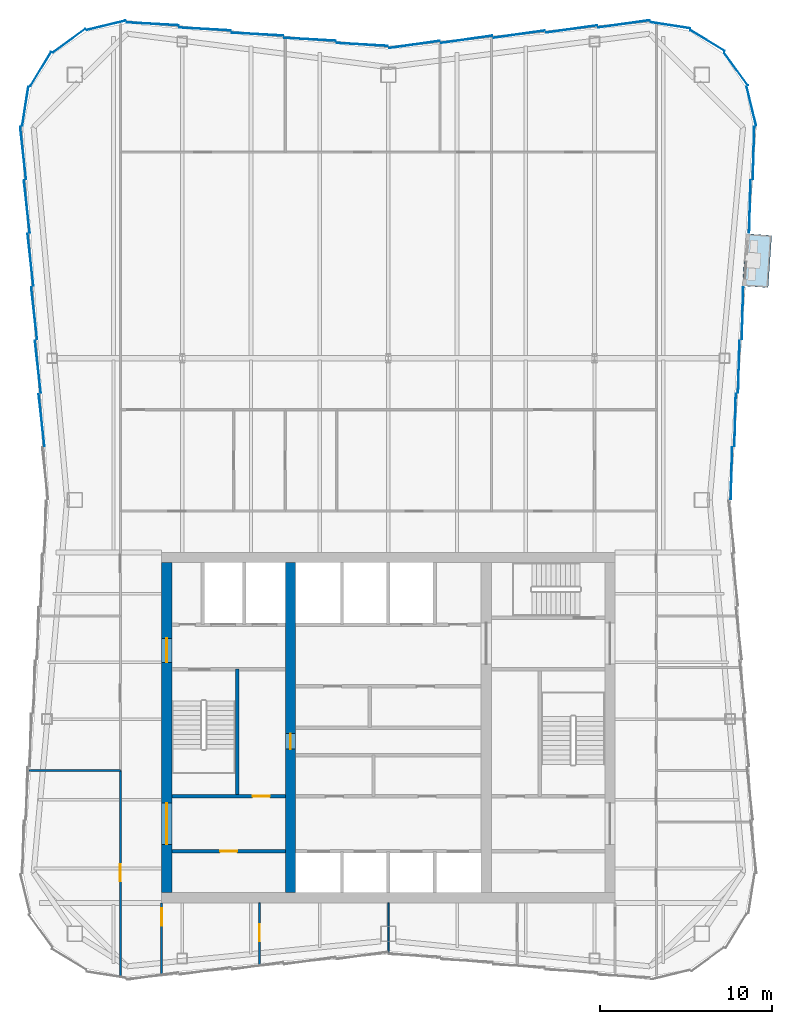
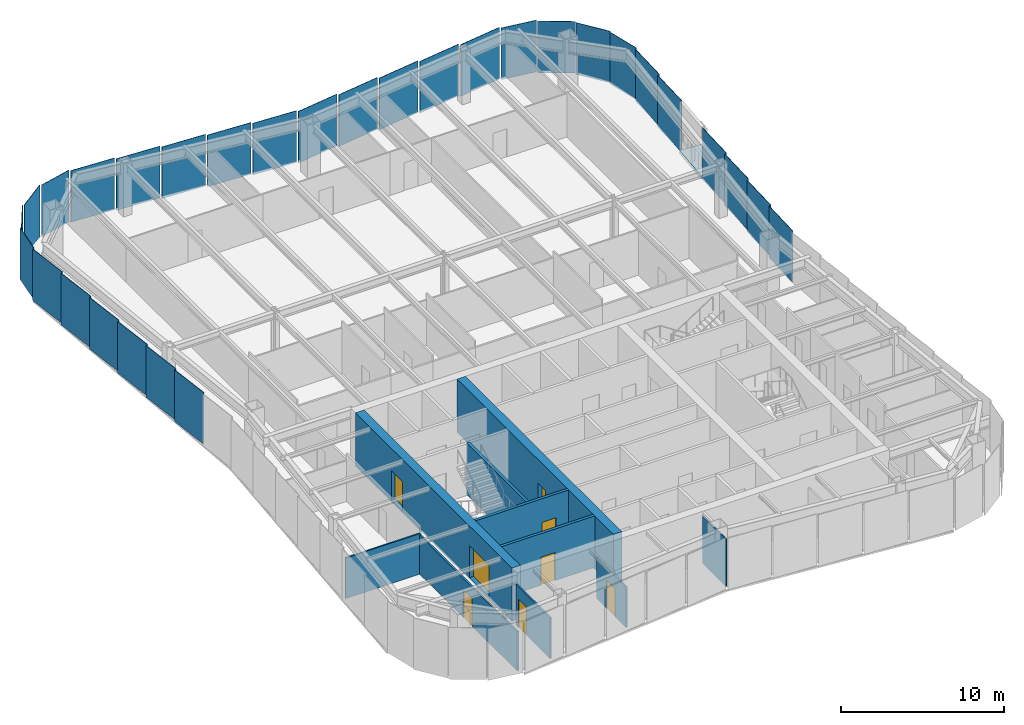
# One storey, part 5 of 10: 30 plates, 10 walls, 8 doors, 1 slab, 8 openings, 5 elements without a shape of their own.
"""IFC4 building model written with IfcOpenShell, lengths in metres."""

from ifc_helpers import new_model, si_unit, direction, frame, frame_2d, origin, origin_2d, place, context, subcontext, project, spatial, polyline, rectangle, outline, extrude, material, layer, layer_set, type_object, element, fill, aggregate, save


model = new_model("IFC4")

# Units and contexts
model_context = context("Model", 3, precision=1e-05, world=origin(), true_north=direction((0.0, 1.0)))
body_context = subcontext(model_context, "Body", "Model", "MODEL_VIEW")
ifc_project = project(units=[si_unit("LENGTHUNIT", "METRE"), si_unit("AREAUNIT", "SQUARE_METRE"), si_unit("VOLUMEUNIT", "CUBIC_METRE"), si_unit("PLANEANGLEUNIT", "RADIAN"), si_unit("MASSUNIT", "GRAM", prefix="KILO")], contexts=[model_context])

# Site, building, storey
site_placement = place(None, origin())
site = spatial("IfcSite", under=ifc_project, at=site_placement, CompositionType="ELEMENT")
building_placement = place(site_placement, origin())
building = spatial("IfcBuilding", under=site, at=building_placement, Name="Verdant Reach Tower", CompositionType="ELEMENT")
storey_placement = place(building_placement, frame((0.0, 0.0, 310.0)))
storey = spatial("IfcBuildingStorey", under=building, at=storey_placement, Name="L71", CompositionType="ELEMENT", Elevation=310.0)

# Slab
ifc_material_1 = material(Name="Concrete C35/45", Category="concrete")
ifc_layer_1 = layer(ifc_material_1, 0.25)
ifc_layer_set_1 = layer_set([ifc_layer_1], Name="EN-BALCONY SLAB")
slab_type = type_object("IfcSlabType", Name="EN-BALCONY SLAB", PredefinedType="FLOOR", material=ifc_layer_set_1)
slab_placement = place(storey_placement, frame((0.0, 0.0, -0.25)))
element("IfcSlab", 1, at=slab_placement, inside=storey, type_object=slab_type, Name="Balcony slab 1, L71", PredefinedType="FLOOR", context=body_context, shape_type="SweptSolid", body=[
    extrude(outline(polyline([(20.609619140625, 53.71337890625), (20.819091796875, 56.750732421875), (22.3154296875, 56.647705078125), (22.10595703125, 53.6103515625), (20.609619140625, 53.71337890625)])), origin(), (0.0, 0.0, 1.0), 0.25),
])

# Curtain wall, plates
ifc_material_2 = material(Name="Anodised aluminium", Category="aluminium")
curtain_wall_type = type_object("IfcCurtainWallType", Name="EN-CW SYSTEM Z5", PredefinedType="NOTDEFINED", material=ifc_material_2)
curtain_wall_1_placement = place(storey_placement, origin())
curtain_wall_1 = element("IfcCurtainWall", 2, at=curtain_wall_1_placement, inside=storey, type_object=curtain_wall_type, Name="Curtain wall east, L71", PredefinedType="NOTDEFINED")
ifc_material_3 = material(Name="Tinted glass with champagne spandrel", Category="glass")
ifc_layer_2 = layer(ifc_material_3, 0.031982421875)
ifc_layer_set_2 = layer_set([ifc_layer_2], Name="EN-PANEL CHAMPAGNE")
plate_type_1 = type_object("IfcPlateType", Name="EN-PANEL CHAMPAGNE", PredefinedType="CURTAIN_PANEL", material=ifc_layer_set_2)
plate_1_placement = place(storey_placement, frame((19.971923828125, 42.799560546875, -0.219970703125), z_axis=(0.0, 0.0, 1.0), x_axis=(0.027053006415, 0.999634000444, 0.0)))
plate_1 = element("IfcPlate", 3, at=plate_1_placement, type_object=plate_type_1, Name="Glass panel east face part 2 1.1, L71", PredefinedType="CURTAIN_PANEL", context=body_context, shape_type="SweptSolid", body=[
    extrude(rectangle(XDim=3.04052734375, YDim=0.031982421875, at=origin_2d()), origin(), (0.0, 0.0, 1.0), 3.8701171875),
])
plate_2_placement = place(storey_placement, frame((20.18603515625, 45.90283203125, -0.219970703125), z_axis=(0.0, 0.0, 1.0), x_axis=(0.026965318308, 0.999636369691, 0.0)))
plate_2 = element("IfcPlate", 4, at=plate_2_placement, type_object=plate_type_1, Name="Glass panel east face part 2 2.1, L71", PredefinedType="CURTAIN_PANEL", context=body_context, shape_type="SweptSolid", body=[
    extrude(rectangle(XDim=3.048583984375, YDim=0.031982421875, at=origin_2d()), origin(), (0.0, 0.0, 1.0), 3.8701171875),
])

# Curtain wall, plate
curtain_wall_2_placement = place(storey_placement, origin())
curtain_wall_2 = element("IfcCurtainWall", 5, at=curtain_wall_2_placement, inside=storey, type_object=curtain_wall_type, Name="Curtain wall north-east corner, L71", PredefinedType="NOTDEFINED")
plate_3_placement = place(storey_placement, frame((21.132080078125, 64.173828125, -0.219970703125), z_axis=(0.0, 0.0, 1.0), x_axis=(-0.236471447122, 0.971638438256, 0.0)))
plate_3 = element("IfcPlate", 6, at=plate_3_placement, type_object=plate_type_1, Name="Glass panel north-east corner 1.1, L71", PredefinedType="CURTAIN_PANEL", context=body_context, shape_type="SweptSolid", body=[
    extrude(rectangle(XDim=2.312744140625, YDim=0.031982421875, at=origin_2d()), origin(), (0.0, 0.0, 1.0), 3.8701171875),
])

# Curtain wall, plates
curtain_wall_3_placement = place(storey_placement, origin())
curtain_wall_3 = element("IfcCurtainWall", 7, at=curtain_wall_3_placement, inside=storey, type_object=curtain_wall_type, Name="Curtain wall north, L71", PredefinedType="NOTDEFINED")
plate_4_placement = place(storey_placement, frame((1.519287109375, 67.7646484375, -0.219970703125), z_axis=(0.0, 0.0, 1.0), x_axis=(-0.990200074141, -0.139656053116, 0.0)))
plate_4 = element("IfcPlate", 8, at=plate_4_placement, type_object=plate_type_1, Name="Glass panel north face part 1 5.1, L71", PredefinedType="CURTAIN_PANEL", context=body_context, shape_type="SweptSolid", body=[
    extrude(rectangle(XDim=2.987548828125, YDim=0.031982421875, at=origin_2d()), origin(), (0.0, 0.0, 1.0), 3.8701171875),
])
plate_5_placement = place(storey_placement, frame((-1.519287109375, 67.7646484375, -0.219970703125), z_axis=(0.0, 0.0, 1.0), x_axis=(-0.998413420442, 0.05630845301, 0.0)))
plate_5 = element("IfcPlate", 9, at=plate_5_placement, type_object=plate_type_1, Name="Glass panel north face part 2 1.1, L71", PredefinedType="CURTAIN_PANEL", context=body_context, shape_type="SweptSolid", body=[
    extrude(rectangle(XDim=2.987548828125, YDim=0.031982421875, at=origin_2d()), origin(), (0.0, 0.0, 1.0), 3.8701171875),
])

curtain_wall_4_placement = place(storey_placement, origin())
curtain_wall_4 = element("IfcCurtainWall", 10, at=curtain_wall_4_placement, inside=storey, type_object=curtain_wall_type, Name="Curtain wall west, L71", PredefinedType="NOTDEFINED")
plate_6_placement = place(storey_placement, frame((-20.8291015625, 55.22412109375, -0.219970703125), z_axis=(0.0, 0.0, 1.0), x_axis=(0.110518162674, -0.993874104562, 0.0)))
plate_6 = element("IfcPlate", 11, at=plate_6_placement, type_object=plate_type_1, Name="Glass panel west face part 1 3.1, L71", PredefinedType="CURTAIN_PANEL", context=body_context, shape_type="SweptSolid", body=[
    extrude(rectangle(XDim=3.048583984375, YDim=0.031982421875, at=origin_2d()), origin(), (0.0, 0.0, 1.0), 3.8701171875),
])
plate_7_placement = place(storey_placement, frame((-20.61474609375, 52.1171875, -0.219970703125), z_axis=(0.0, 0.0, 1.0), x_axis=(0.110518162674, -0.993874104562, 0.0)))
plate_7 = element("IfcPlate", 12, at=plate_7_placement, type_object=plate_type_1, Name="Glass panel west face part 1 4.1, L71", PredefinedType="CURTAIN_PANEL", context=body_context, shape_type="SweptSolid", body=[
    extrude(rectangle(XDim=3.048583984375, YDim=0.031982421875, at=origin_2d()), origin(), (0.0, 0.0, 1.0), 3.8701171875),
])
plate_8_placement = place(storey_placement, frame((-20.400390625, 49.010009765625, -0.219970703125), z_axis=(0.0, 0.0, 1.0), x_axis=(0.110518162674, -0.993874104562, 0.0)))
plate_8 = element("IfcPlate", 13, at=plate_8_placement, type_object=plate_type_1, Name="Glass panel west face part 1 5.1, L71", PredefinedType="CURTAIN_PANEL", context=body_context, shape_type="SweptSolid", body=[
    extrude(rectangle(XDim=3.048583984375, YDim=0.031982421875, at=origin_2d()), origin(), (0.0, 0.0, 1.0), 3.8701171875),
])

# Plate
ifc_material_4 = material(Name="Tinted glass with copper spandrel", Category="glass")
ifc_layer_3 = layer(ifc_material_4, 0.031982421875)
ifc_layer_set_3 = layer_set([ifc_layer_3], Name="EN-PANEL COPPER")
plate_type_2 = type_object("IfcPlateType", Name="EN-PANEL COPPER", PredefinedType="CURTAIN_PANEL", material=ifc_layer_set_3)
plate_9_placement = place(storey_placement, frame((20.400390625, 49.010009765625, -0.219970703125), z_axis=(0.0, 0.0, 1.0), x_axis=(0.026965318308, 0.999636369691, 0.0)))
plate_9 = element("IfcPlate", 14, at=plate_9_placement, type_object=plate_type_2, Name="Glass panel east face part 2 3.1, L71", PredefinedType="CURTAIN_PANEL", context=body_context, shape_type="SweptSolid", body=[
    extrude(rectangle(XDim=3.048583984375, YDim=0.031982421875, at=origin_2d()), origin(), (0.0, 0.0, 1.0), 3.8701171875),
])

plate_10_placement = place(storey_placement, frame((20.61474609375, 52.1171875, -0.219970703125), z_axis=(0.0, 0.0, 1.0), x_axis=(0.026965318308, 0.999636369691, 0.0)))
plate_10 = element("IfcPlate", 15, at=plate_10_placement, type_object=plate_type_2, Name="Glass panel east face part 2 4.1, L71", PredefinedType="CURTAIN_PANEL", context=body_context, shape_type="SweptSolid", body=[
    extrude(rectangle(XDim=3.048583984375, YDim=0.031982421875, at=origin_2d()), origin(), (0.0, 0.0, 1.0), 3.8701171875),
])

plate_11_placement = place(storey_placement, frame((20.23681640625, 66.33203125, -0.219970703125), z_axis=(0.0, 0.0, 1.0), x_axis=(-0.58992672698, 0.807456783236, 0.0)))
plate_11 = element("IfcPlate", 16, at=plate_11_placement, type_object=plate_type_2, Name="Glass panel north-east corner 2.1, L71", PredefinedType="CURTAIN_PANEL", context=body_context, shape_type="SweptSolid", body=[
    extrude(rectangle(XDim=2.320068359375, YDim=0.031982421875, at=origin_2d()), origin(), (0.0, 0.0, 1.0), 3.8701171875),
])

plate_12_placement = place(storey_placement, frame((18.58203125, 67.98681640625, -0.219970703125), z_axis=(0.0, 0.0, 1.0), x_axis=(-0.853988714885, 0.520291528711, 0.0)))
plate_12 = element("IfcPlate", 17, at=plate_12_placement, type_object=plate_type_2, Name="Glass panel north-east corner 3.1, L71", PredefinedType="CURTAIN_PANEL", context=body_context, shape_type="SweptSolid", body=[
    extrude(rectangle(XDim=2.320068359375, YDim=0.031982421875, at=origin_2d()), origin(), (0.0, 0.0, 1.0), 3.8701171875),
])

plate_13_placement = place(storey_placement, frame((13.72216796875, 68.964599609375, -0.219970703125), z_axis=(0.0, 0.0, 1.0), x_axis=(-0.990281521639, -0.139077345032, 0.0)))
plate_13 = element("IfcPlate", 18, at=plate_13_placement, type_object=plate_type_2, Name="Glass panel north face part 1 1.1, L71", PredefinedType="CURTAIN_PANEL", context=body_context, shape_type="SweptSolid", body=[
    extrude(rectangle(XDim=3.015625, YDim=0.031982421875, at=origin_2d()), origin(), (0.0, 0.0, 1.0), 3.8701171875),
])

plate_14_placement = place(storey_placement, frame((10.663818359375, 68.66455078125, -0.219970703125), z_axis=(0.0, 0.0, 1.0), x_axis=(-0.990225318365, -0.139476947446, 0.0)))
plate_14 = element("IfcPlate", 19, at=plate_14_placement, type_object=plate_type_2, Name="Glass panel north face part 1 2.1, L71", PredefinedType="CURTAIN_PANEL", context=body_context, shape_type="SweptSolid", body=[
    extrude(rectangle(XDim=2.998779296875, YDim=0.031982421875, at=origin_2d()), origin(), (0.0, 0.0, 1.0), 3.8701171875),
])

plate_15_placement = place(storey_placement, frame((-4.563720703125, 68.064453125, -0.219970703125), z_axis=(0.0, 0.0, 1.0), x_axis=(-0.998423588956, 0.056127863106, 0.0)))
plate_15 = element("IfcPlate", 20, at=plate_15_placement, type_object=plate_type_2, Name="Glass panel north face part 2 2.1, L71", PredefinedType="CURTAIN_PANEL", context=body_context, shape_type="SweptSolid", body=[
    extrude(rectangle(XDim=2.998779296875, YDim=0.031982421875, at=origin_2d()), origin(), (0.0, 0.0, 1.0), 3.8701171875),
])

plate_16_placement = place(storey_placement, frame((-7.61376953125, 68.364501953125, -0.219970703125), z_axis=(0.0, 0.0, 1.0), x_axis=(-0.998423588956, 0.056127863106, 0.0)))
plate_16 = element("IfcPlate", 21, at=plate_16_placement, type_object=plate_type_2, Name="Glass panel north face part 2 3.1, L71", PredefinedType="CURTAIN_PANEL", context=body_context, shape_type="SweptSolid", body=[
    extrude(rectangle(XDim=2.998779296875, YDim=0.031982421875, at=origin_2d()), origin(), (0.0, 0.0, 1.0), 3.8701171875),
])

# Curtain wall, plates
curtain_wall_5_placement = place(storey_placement, origin())
curtain_wall_5 = element("IfcCurtainWall", 22, at=curtain_wall_5_placement, inside=storey, type_object=curtain_wall_type, Name="Curtain wall north-west corner, L71", PredefinedType="NOTDEFINED")
plate_17_placement = place(storey_placement, frame((-16.4228515625, 68.88232421875, -0.219970703125), z_axis=(0.0, 0.0, 1.0), x_axis=(-0.971661765526, -0.236375577028, 0.0)))
plate_17 = element("IfcPlate", 23, at=plate_17_placement, type_object=plate_type_2, Name="Glass panel north-west corner 1.1, L71", PredefinedType="CURTAIN_PANEL", context=body_context, shape_type="SweptSolid", body=[
    extrude(rectangle(XDim=2.314453125, YDim=0.031982421875, at=origin_2d()), origin(), (0.0, 0.0, 1.0), 3.8701171875),
])
plate_18_placement = place(storey_placement, frame((-18.58203125, 67.98681640625, -0.219970703125), z_axis=(0.0, 0.0, 1.0), x_axis=(-0.807456783236, -0.58992672698, 0.0)))
plate_18 = element("IfcPlate", 24, at=plate_18_placement, type_object=plate_type_2, Name="Glass panel north-west corner 2.1, L71", PredefinedType="CURTAIN_PANEL", context=body_context, shape_type="SweptSolid", body=[
    extrude(rectangle(XDim=2.320068359375, YDim=0.031982421875, at=origin_2d()), origin(), (0.0, 0.0, 1.0), 3.8701171875),
])

# Plate
plate_19_placement = place(storey_placement, frame((-20.18603515625, 45.90283203125, -0.219970703125), z_axis=(0.0, 0.0, 1.0), x_axis=(0.110518162674, -0.993874104562, 0.0)))
plate_19 = element("IfcPlate", 25, at=plate_19_placement, type_object=plate_type_2, Name="Glass panel west face part 1 6.1, L71", PredefinedType="CURTAIN_PANEL", context=body_context, shape_type="SweptSolid", body=[
    extrude(rectangle(XDim=3.048583984375, YDim=0.031982421875, at=origin_2d()), origin(), (0.0, 0.0, 1.0), 3.8701171875),
])

ifc_material_5 = material(Name="Tinted glass with dark bronze spandrel", Category="glass")
ifc_layer_4 = layer(ifc_material_5, 0.031982421875)
ifc_layer_set_4 = layer_set([ifc_layer_4], Name="EN-PANEL DARK")
plate_type_3 = type_object("IfcPlateType", Name="EN-PANEL DARK", PredefinedType="CURTAIN_PANEL", material=ifc_layer_set_4)
plate_20_placement = place(storey_placement, frame((21.043212890625, 58.331298828125, -0.219970703125), z_axis=(0.0, 0.0, 1.0), x_axis=(0.026965318308, 0.999636369691, 0.0)))
plate_20 = element("IfcPlate", 26, at=plate_20_placement, type_object=plate_type_3, Name="Glass panel east face part 2 6.1, L71", PredefinedType="CURTAIN_PANEL", context=body_context, shape_type="SweptSolid", body=[
    extrude(rectangle(XDim=3.048583984375, YDim=0.031982421875, at=origin_2d()), origin(), (0.0, 0.0, 1.0), 3.8701171875),
])

plate_21_placement = place(storey_placement, frame((21.257568359375, 61.446044921875, -0.219970703125), z_axis=(0.0, 0.0, 1.0), x_axis=(0.026642881595, 0.999645015423, 0.0)))
plate_21 = element("IfcPlate", 27, at=plate_21_placement, type_object=plate_type_3, Name="Glass panel east face part 2 7.1, L71", PredefinedType="CURTAIN_PANEL", context=body_context, shape_type="SweptSolid", body=[
    extrude(rectangle(XDim=3.063720703125, YDim=0.031982421875, at=origin_2d()), origin(), (0.0, 0.0, 1.0), 3.8701171875),
])

aggregate(curtain_wall_1, [plate_1, plate_2, plate_9, plate_10, plate_20, plate_21])

plate_22_placement = place(storey_placement, frame((16.4228515625, 68.88232421875, -0.219970703125), z_axis=(0.0, 0.0, 1.0), x_axis=(-0.988033409454, 0.154240013621, 0.0)))
plate_22 = element("IfcPlate", 28, at=plate_22_placement, type_object=plate_type_3, Name="Glass panel north-east corner 4.1, L71", PredefinedType="CURTAIN_PANEL", context=body_context, shape_type="SweptSolid", body=[
    extrude(rectangle(XDim=2.314453125, YDim=0.031982421875, at=origin_2d()), origin(), (0.0, 0.0, 1.0), 3.8701171875),
])

aggregate(curtain_wall_2, [plate_3, plate_11, plate_12, plate_22])

plate_23_placement = place(storey_placement, frame((7.61376953125, 68.364501953125, -0.219970703125), z_axis=(0.0, 0.0, 1.0), x_axis=(-0.990225318365, -0.139476947446, 0.0)))
plate_23 = element("IfcPlate", 29, at=plate_23_placement, type_object=plate_type_3, Name="Glass panel north face part 1 3.1, L71", PredefinedType="CURTAIN_PANEL", context=body_context, shape_type="SweptSolid", body=[
    extrude(rectangle(XDim=2.998779296875, YDim=0.031982421875, at=origin_2d()), origin(), (0.0, 0.0, 1.0), 3.8701171875),
])

plate_24_placement = place(storey_placement, frame((4.563720703125, 68.064453125, -0.219970703125), z_axis=(0.0, 0.0, 1.0), x_axis=(-0.990225318365, -0.139476947446, 0.0)))
plate_24 = element("IfcPlate", 30, at=plate_24_placement, type_object=plate_type_3, Name="Glass panel north face part 1 4.1, L71", PredefinedType="CURTAIN_PANEL", context=body_context, shape_type="SweptSolid", body=[
    extrude(rectangle(XDim=2.998779296875, YDim=0.031982421875, at=origin_2d()), origin(), (0.0, 0.0, 1.0), 3.8701171875),
])

plate_25_placement = place(storey_placement, frame((-10.663818359375, 68.66455078125, -0.219970703125), z_axis=(0.0, 0.0, 1.0), x_axis=(-0.998423588956, 0.056127863106, 0.0)))
plate_25 = element("IfcPlate", 31, at=plate_25_placement, type_object=plate_type_3, Name="Glass panel north face part 2 4.1, L71", PredefinedType="CURTAIN_PANEL", context=body_context, shape_type="SweptSolid", body=[
    extrude(rectangle(XDim=2.998779296875, YDim=0.031982421875, at=origin_2d()), origin(), (0.0, 0.0, 1.0), 3.8701171875),
])

plate_26_placement = place(storey_placement, frame((-13.72216796875, 68.964599609375, -0.219970703125), z_axis=(0.0, 0.0, 1.0), x_axis=(-0.998446157248, 0.055724959185, 0.0)))
plate_26 = element("IfcPlate", 32, at=plate_26_placement, type_object=plate_type_3, Name="Glass panel north face part 2 5.1, L71", PredefinedType="CURTAIN_PANEL", context=body_context, shape_type="SweptSolid", body=[
    extrude(rectangle(XDim=3.015625, YDim=0.031982421875, at=origin_2d()), origin(), (0.0, 0.0, 1.0), 3.8701171875),
])

aggregate(curtain_wall_3, [plate_13, plate_14, plate_23, plate_24, plate_4, plate_5, plate_15, plate_16, plate_25, plate_26])

plate_27_placement = place(storey_placement, frame((-20.23681640625, 66.33203125, -0.219970703125), z_axis=(0.0, 0.0, 1.0), x_axis=(-0.520291528711, -0.853988714885, 0.0)))
plate_27 = element("IfcPlate", 33, at=plate_27_placement, type_object=plate_type_3, Name="Glass panel north-west corner 3.1, L71", PredefinedType="CURTAIN_PANEL", context=body_context, shape_type="SweptSolid", body=[
    extrude(rectangle(XDim=2.320068359375, YDim=0.031982421875, at=origin_2d()), origin(), (0.0, 0.0, 1.0), 3.8701171875),
])

plate_28_placement = place(storey_placement, frame((-21.132080078125, 64.173828125, -0.219970703125), z_axis=(0.0, 0.0, 1.0), x_axis=(-0.154337499461, -0.988018186199, 0.0)))
plate_28 = element("IfcPlate", 34, at=plate_28_placement, type_object=plate_type_3, Name="Glass panel north-west corner 4.1, L71", PredefinedType="CURTAIN_PANEL", context=body_context, shape_type="SweptSolid", body=[
    extrude(rectangle(XDim=2.312744140625, YDim=0.031982421875, at=origin_2d()), origin(), (0.0, 0.0, 1.0), 3.8701171875),
])

aggregate(curtain_wall_5, [plate_17, plate_18, plate_27, plate_28])

plate_29_placement = place(storey_placement, frame((-21.257568359375, 61.446044921875, -0.219970703125), z_axis=(0.0, 0.0, 1.0), x_axis=(0.110197580247, -0.993909700782, 0.0)))
plate_29 = element("IfcPlate", 35, at=plate_29_placement, type_object=plate_type_3, Name="Glass panel west face part 1 1.1, L71", PredefinedType="CURTAIN_PANEL", context=body_context, shape_type="SweptSolid", body=[
    extrude(rectangle(XDim=3.063720703125, YDim=0.031982421875, at=origin_2d()), origin(), (0.0, 0.0, 1.0), 3.8701171875),
])

plate_30_placement = place(storey_placement, frame((-21.043212890625, 58.331298828125, -0.219970703125), z_axis=(0.0, 0.0, 1.0), x_axis=(0.110518162674, -0.993874104562, 0.0)))
plate_30 = element("IfcPlate", 36, at=plate_30_placement, type_object=plate_type_3, Name="Glass panel west face part 1 2.1, L71", PredefinedType="CURTAIN_PANEL", context=body_context, shape_type="SweptSolid", body=[
    extrude(rectangle(XDim=3.048583984375, YDim=0.031982421875, at=origin_2d()), origin(), (0.0, 0.0, 1.0), 3.8701171875),
])

aggregate(curtain_wall_4, [plate_29, plate_30, plate_6, plate_7, plate_8, plate_19])

# Wall, opening, door
ifc_material_6 = material(Name="Gypsum board on steel studs", Category="steel")
ifc_layer_5 = layer(ifc_material_6, 0.199951171875)
ifc_layer_set_5 = layer_set([ifc_layer_5], Name="CO-WALL-ROOM")
wall_type_1 = type_object("IfcWallType", Name="CO-WALL-ROOM", PredefinedType="PARTITIONING", material=ifc_layer_set_5)
wall_1_placement = place(storey_placement, frame((-12.60009765625, 20.800048828125, 0.0), z_axis=(0.0, 0.0, 1.0), x_axis=(1.0, 0.0, 0.0)))
wall_1 = element("IfcWall", 37, at=wall_1_placement, inside=storey, type_object=wall_type_1, Name="Core partition, L71", PredefinedType="PARTITIONING", context=body_context, shape_type="SweptSolid", body=[
    extrude(rectangle(XDim=6.60009765625, YDim=0.199951171875, at=frame_2d((3.300048828125, 0.0))), origin(), (0.0, 0.0, 1.0), 3.8701171875),
])
opening_1_placement = place(wall_1_placement, frame((2.800048828125, 0.0, 0.0)))
opening_1 = element("IfcOpeningElement", 38, at=opening_1_placement, cuts=wall_1, Name="Opening CD", PredefinedType="OPENING", context=body_context, shape_type="SweptSolid", body=[
    extrude(rectangle(XDim=1.0, YDim=2.10009765625, at=frame_2d((0.5, 1.050048828125))), frame((0.0, 0.10986328125, 0.0), z_axis=(0.0, -1.0, 0.0), x_axis=(1.0, 0.0, 0.0)), (0.0, 0.0, 1.0), 0.219970703125),
])
ifc_material_7 = material(Name="Timber", Category="wood")
door_type_1 = type_object("IfcDoorType", Name="CO-DOOR-ROOM", OperationType="NOTDEFINED", PredefinedType="DOOR", material=ifc_material_7)
door_1_placement = place(opening_1_placement, origin())
door_1 = element("IfcDoor", 39, at=door_1_placement, inside=storey, type_object=door_type_1, Name="Core room door, L71", OperationType="SINGLE_SWING_LEFT", OverallHeight=2.10009765625, OverallWidth=1.0, PredefinedType="DOOR", context=body_context, shape_type="SweptSolid", body=[
    extrude(rectangle(XDim=1.0, YDim=2.10009765625, at=frame_2d((0.5, 1.050048828125))), frame((0.0, 0.02490234375, 0.0), z_axis=(0.0, -1.0, 0.0), x_axis=(1.0, 0.0, 0.0)), (0.0, 0.0, 1.0), 0.050048828125),
])
fill(opening_1, door_1)

ifc_material_8 = material(Name="Concrete C40/50", Category="concrete")
ifc_layer_6 = layer(ifc_material_8, 0.199951171875)
ifc_layer_set_6 = layer_set([ifc_layer_6], Name="CO-WALL-STAIR")
wall_type_2 = type_object("IfcWallType", Name="CO-WALL-STAIR", PredefinedType="PARTITIONING", material=ifc_layer_set_6)
wall_2_placement = place(storey_placement, frame((-12.60009765625, 24.0, 0.0), z_axis=(0.0, 0.0, 1.0), x_axis=(1.0, 0.0, 0.0)))
wall_2 = element("IfcWall", 40, at=wall_2_placement, inside=storey, type_object=wall_type_2, Name="Stair enclosure wall, L71", PredefinedType="PARTITIONING", context=body_context, shape_type="SweptSolid", body=[
    extrude(rectangle(XDim=6.60009765625, YDim=0.199951171875, at=frame_2d((3.300048828125, 0.0))), origin(), (0.0, 0.0, 1.0), 3.8701171875),
])
opening_2_placement = place(wall_2_placement, frame((4.699951171875, 0.0, 0.0)))
opening_2 = element("IfcOpeningElement", 41, at=opening_2_placement, cuts=wall_2, Name="Opening CD", PredefinedType="OPENING", context=body_context, shape_type="SweptSolid", body=[
    extrude(rectangle(XDim=1.0, YDim=2.10009765625, at=frame_2d((0.5, 1.050048828125))), frame((0.0, 0.10986328125, 0.0), z_axis=(0.0, -1.0, 0.0), x_axis=(1.0, 0.0, 0.0)), (0.0, 0.0, 1.0), 0.219970703125),
])
door_2_placement = place(opening_2_placement, origin())
door_2 = element("IfcDoor", 42, at=door_2_placement, inside=storey, type_object=door_type_1, Name="Core room door, L71", OperationType="SINGLE_SWING_RIGHT", OverallHeight=2.10009765625, OverallWidth=1.0, PredefinedType="DOOR", context=body_context, shape_type="SweptSolid", body=[
    extrude(rectangle(XDim=1.0, YDim=2.10009765625, at=frame_2d((0.5, 1.050048828125))), frame((0.0, 0.02490234375, 0.0), z_axis=(0.0, -1.0, 0.0), x_axis=(1.0, 0.0, 0.0)), (0.0, 0.0, 1.0), 0.050048828125),
])
fill(opening_2, door_2)

# Walls
wall_3_placement = place(storey_placement, frame((-8.800048828125, 24.0, 0.0), z_axis=(0.0, 0.0, 1.0), x_axis=(0.0, 1.0, 0.0)))
element("IfcWall", 43, at=wall_3_placement, inside=storey, type_object=wall_type_2, Name="Stair enclosure wall, L71", PredefinedType="PARTITIONING", context=body_context, shape_type="SweptSolid", body=[
    extrude(rectangle(XDim=7.39990234375, YDim=0.199951171875, at=frame_2d((3.699951171875, 0.0))), origin(), (0.0, 0.0, 1.0), 3.8701171875),
])
ifc_layer_7 = layer(ifc_material_6, 0.10009765625)
ifc_layer_set_7 = layer_set([ifc_layer_7], Name="FL-W1 Partition 100")
wall_type_3 = type_object("IfcWallType", Name="FL-W1 Partition 100", PredefinedType="PARTITIONING", material=ifc_layer_set_7)
wall_4_placement = place(storey_placement, frame((-15.60009765625, 25.5, 0.0), z_axis=(0.0, 0.0, 1.0), x_axis=(-1.0, 0.0, 0.0)))
element("IfcWall", 44, at=wall_4_placement, inside=storey, type_object=wall_type_3, Name="Partition 71.18", PredefinedType="PARTITIONING", context=body_context, shape_type="SweptSolid", body=[
    extrude(rectangle(XDim=5.316162109375, YDim=0.10009765625, at=frame_2d((2.658203125, 0.0))), origin(), (0.0, 0.0, 1.0), 3.0400390625),
])

# Wall, opening, door
wall_5_placement = place(storey_placement, frame((-7.5, 17.800048828125, 0.0), z_axis=(0.0, 0.0, 1.0), x_axis=(0.0, -1.0, 0.0)))
wall_5 = element("IfcWall", 45, at=wall_5_placement, inside=storey, type_object=wall_type_3, Name="Partition 71.31", PredefinedType="PARTITIONING", context=body_context, shape_type="SweptSolid", body=[
    extrude(rectangle(XDim=3.61767578125, YDim=0.10009765625, at=frame_2d((1.808837890625, 0.0))), origin(), (0.0, 0.0, 1.0), 3.0400390625),
])
opening_3_placement = place(wall_5_placement, frame((1.24365234375, 0.0, 0.0)))
opening_3 = element("IfcOpeningElement", 46, at=opening_3_placement, cuts=wall_5, Name="Opening D3", PredefinedType="OPENING", context=body_context, shape_type="SweptSolid", body=[
    extrude(rectangle(XDim=1.0, YDim=2.10009765625, at=frame_2d((0.5, 1.050048828125))), frame((0.0, 0.06005859375, 0.0), z_axis=(0.0, -1.0, 0.0), x_axis=(1.0, 0.0, 0.0)), (0.0, 0.0, 1.0), 0.1201171875),
])
ifc_material_9 = material(Name="Painted timber door leaf", Category="wood")
door_type_2 = type_object("IfcDoorType", Name="FL-D3 Door 1000x2100", OperationType="NOTDEFINED", PredefinedType="DOOR", material=ifc_material_9)
door_3_placement = place(opening_3_placement, origin())
door_3 = element("IfcDoor", 47, at=door_3_placement, inside=storey, type_object=door_type_2, Name="Door 71-015", OperationType="SINGLE_SWING_LEFT", OverallHeight=2.10009765625, OverallWidth=1.0, PredefinedType="DOOR", context=body_context, shape_type="SweptSolid", body=[
    extrude(rectangle(XDim=1.0, YDim=2.10009765625, at=frame_2d((0.5, 1.050048828125))), frame((0.0, 0.02490234375, 0.0), z_axis=(0.0, -1.0, 0.0), x_axis=(1.0, 0.0, 0.0)), (0.0, 0.0, 1.0), 0.050048828125),
])
fill(opening_3, door_3)

# Wall
wall_6_placement = place(storey_placement, frame((0.0, 14.919921875, 0.0), z_axis=(0.0, 0.0, 1.0), x_axis=(0.0, 1.0, 0.0)))
element("IfcWall", 48, at=wall_6_placement, inside=storey, type_object=wall_type_3, Name="Partition 71.32", PredefinedType="PARTITIONING", context=body_context, shape_type="SweptSolid", body=[
    extrude(rectangle(XDim=2.880126953125, YDim=0.10009765625, at=frame_2d((1.43994140625, 0.0))), origin(), (0.0, 0.0, 1.0), 3.5400390625),
])

# Wall, opening, door
ifc_material_10 = material(Name="Gypsum board on steel studs, fire rated", Category="steel")
ifc_layer_8 = layer(ifc_material_10, 0.125)
ifc_layer_set_8 = layer_set([ifc_layer_8], Name="FL-W2 Corridor wall 125")
wall_type_4 = type_object("IfcWallType", Name="FL-W2 Corridor wall 125", PredefinedType="PARTITIONING", material=ifc_layer_set_8)
wall_7_placement = place(storey_placement, frame((-15.60009765625, 13.489501953125, 0.0), z_axis=(0.0, 0.0, 1.0), x_axis=(0.0, 1.0, 0.0)))
wall_7 = element("IfcWall", 49, at=wall_7_placement, inside=storey, type_object=wall_type_4, Name="Partition 71.01", PredefinedType="PARTITIONING", context=body_context, shape_type="SweptSolid", body=[
    extrude(rectangle(XDim=12.010498046875, YDim=0.125, at=frame_2d((6.00537109375, 0.0))), origin(), (0.0, 0.0, 1.0), 2.929931640625),
])
opening_4_placement = place(wall_7_placement, frame((5.57080078125, 0.0, 0.0)))
opening_4 = element("IfcOpeningElement", 50, at=opening_4_placement, cuts=wall_7, Name="Opening D2", PredefinedType="OPENING", context=body_context, shape_type="SweptSolid", body=[
    extrude(rectangle(XDim=1.0, YDim=2.10009765625, at=frame_2d((0.5, 1.050048828125))), frame((0.0, 0.072509765625, 0.0), z_axis=(0.0, -1.0, 0.0), x_axis=(1.0, 0.0, 0.0)), (0.0, 0.0, 1.0), 0.14501953125),
])
ifc_material_11 = material(Name="Timber door leaf, fire rated", Category="wood")
door_type_3 = type_object("IfcDoorType", Name="FL-D2 Entrance door 1000x2100 FD30", OperationType="NOTDEFINED", PredefinedType="DOOR", material=ifc_material_11)
door_4_placement = place(opening_4_placement, origin())
door_4 = element("IfcDoor", 51, at=door_4_placement, inside=storey, type_object=door_type_3, Name="Door 71-001", OperationType="SINGLE_SWING_RIGHT", OverallHeight=2.10009765625, OverallWidth=1.0, PredefinedType="DOOR", context=body_context, shape_type="SweptSolid", body=[
    extrude(rectangle(XDim=1.0, YDim=2.10009765625, at=frame_2d((0.5, 1.050048828125))), frame((0.0, 0.02490234375, 0.0), z_axis=(0.0, -1.0, 0.0), x_axis=(1.0, 0.0, 0.0)), (0.0, 0.0, 1.0), 0.050048828125),
])
fill(opening_4, door_4)

wall_8_placement = place(storey_placement, frame((-13.199951171875, 17.800048828125, 0.0), z_axis=(0.0, 0.0, 1.0), x_axis=(0.0, -1.0, 0.0)))
wall_8 = element("IfcWall", 52, at=wall_8_placement, inside=storey, type_object=wall_type_4, Name="Partition 71.10", PredefinedType="PARTITIONING", context=body_context, shape_type="SweptSolid", body=[
    extrude(rectangle(XDim=4.178466796875, YDim=0.125, at=frame_2d((2.08935546875, 0.0))), origin(), (0.0, 0.0, 1.0), 3.0400390625),
])
opening_5_placement = place(wall_8_placement, frame((0.32421875, 0.0, 0.0)))
opening_5 = element("IfcOpeningElement", 53, at=opening_5_placement, cuts=wall_8, Name="Opening D2", PredefinedType="OPENING", context=body_context, shape_type="SweptSolid", body=[
    extrude(rectangle(XDim=1.0, YDim=2.10009765625, at=frame_2d((0.5, 1.050048828125))), frame((0.0, 0.072509765625, 0.0), z_axis=(0.0, -1.0, 0.0), x_axis=(1.0, 0.0, 0.0)), (0.0, 0.0, 1.0), 0.14501953125),
])
door_5_placement = place(opening_5_placement, origin())
door_5 = element("IfcDoor", 54, at=door_5_placement, inside=storey, type_object=door_type_3, Name="Door 71-010", OperationType="SINGLE_SWING_LEFT", OverallHeight=2.10009765625, OverallWidth=1.0, PredefinedType="DOOR", context=body_context, shape_type="SweptSolid", body=[
    extrude(rectangle(XDim=1.0, YDim=2.10009765625, at=frame_2d((0.5, 1.050048828125))), frame((0.0, 0.02490234375, 0.0), z_axis=(0.0, -1.0, 0.0), x_axis=(1.0, 0.0, 0.0)), (0.0, 0.0, 1.0), 0.050048828125),
])
fill(opening_5, door_5)

# Wall, openings, doors
ifc_material_12 = material(Name="Concrete C70/85", Category="concrete")
ifc_layer_9 = layer(ifc_material_12, 0.60009765625)
ifc_layer_set_9 = layer_set([ifc_layer_9], Name="ST-CORE-WALL-600")
wall_type_5 = type_object("IfcWallType", Name="ST-CORE-WALL-600", PredefinedType="SHEAR", material=ifc_layer_set_9)
wall_9_placement = place(storey_placement, frame((-12.89990234375, 18.39990234375, -0.1298828125), z_axis=(0.0, 0.0, 1.0), x_axis=(0.0, 1.0, 0.0)))
wall_9 = element("IfcWall", 55, at=wall_9_placement, inside=storey, type_object=wall_type_5, Name="Core wall W, L71", PredefinedType="SHEAR", context=body_context, shape_type="SweptSolid", body=[
    extrude(rectangle(XDim=19.2001953125, YDim=0.60009765625, at=frame_2d((9.60009765625, 0.0))), origin(), (0.0, 0.0, 1.0), 4.0),
])
opening_6_placement = place(wall_9_placement, frame((2.800048828125, 0.0, 0.1298828125)))
opening_6 = element("IfcOpeningElement", 56, at=opening_6_placement, cuts=wall_9, Name="Opening LB", PredefinedType="OPENING", context=body_context, shape_type="SweptSolid", body=[
    extrude(rectangle(XDim=2.39990234375, YDim=2.39990234375, at=frame_2d((1.199951171875, 1.199951171875))), frame((0.0, 0.31005859375, 0.0), z_axis=(0.0, -1.0, 0.0), x_axis=(1.0, 0.0, 0.0)), (0.0, 0.0, 1.0), 0.6201171875),
])
opening_7_placement = place(wall_9_placement, frame((13.39990234375, 0.0, 0.1298828125)))
opening_7 = element("IfcOpeningElement", 57, at=opening_7_placement, cuts=wall_9, Name="Opening FL", PredefinedType="OPENING", context=body_context, shape_type="SweptSolid", body=[
    extrude(rectangle(XDim=1.39990234375, YDim=2.199951171875, at=frame_2d((0.699951171875, 1.10009765625))), frame((0.0, 0.31005859375, 0.0), z_axis=(0.0, -1.0, 0.0), x_axis=(1.0, 0.0, 0.0)), (0.0, 0.0, 1.0), 0.6201171875),
])
ifc_material_13 = material(Name="Steel", Category="steel")
door_type_4 = type_object("IfcDoorType", Name="CO-DOOR-FFL", OperationType="NOTDEFINED", PredefinedType="DOOR", material=ifc_material_13)
door_6_placement = place(opening_7_placement, origin())
door_6 = element("IfcDoor", 58, at=door_6_placement, inside=storey, type_object=door_type_4, Name="Core entrance door, L71", OperationType="SINGLE_SWING_RIGHT", OverallHeight=2.199951171875, OverallWidth=1.39990234375, PredefinedType="DOOR", context=body_context, shape_type="SweptSolid", body=[
    extrude(rectangle(XDim=1.39990234375, YDim=2.199951171875, at=frame_2d((0.699951171875, 1.10009765625))), frame((0.0, 0.02490234375, 0.0), z_axis=(0.0, -1.0, 0.0), x_axis=(1.0, 0.0, 0.0)), (0.0, 0.0, 1.0), 0.050048828125),
])
fill(opening_7, door_6)
ifc_material_14 = material(Name="Glass and steel", Category="steel")
door_type_5 = type_object("IfcDoorType", Name="CO-DOOR-LOBBY", OperationType="DOUBLE_DOOR_SINGLE_SWING", PredefinedType="DOOR", material=ifc_material_14)
door_7_placement = place(opening_6_placement, origin())
door_7 = element("IfcDoor", 59, at=door_7_placement, inside=storey, type_object=door_type_5, Name="Core entrance door, L71", OperationType="DOUBLE_DOOR_SINGLE_SWING", OverallHeight=2.39990234375, OverallWidth=2.39990234375, PredefinedType="DOOR", context=body_context, shape_type="SweptSolid", body=[
    extrude(rectangle(XDim=2.39990234375, YDim=2.39990234375, at=frame_2d((1.199951171875, 1.199951171875))), frame((0.0, 0.02490234375, 0.0), z_axis=(0.0, -1.0, 0.0), x_axis=(1.0, 0.0, 0.0)), (0.0, 0.0, 1.0), 0.050048828125),
])
fill(opening_6, door_7)

# Wall, opening, door
wall_10_placement = place(storey_placement, frame((-5.699951171875, 18.39990234375, -0.1298828125), z_axis=(0.0, 0.0, 1.0), x_axis=(0.0, 1.0, 0.0)))
wall_10 = element("IfcWall", 60, at=wall_10_placement, inside=storey, type_object=wall_type_5, Name="Core wall XW, L71", PredefinedType="SHEAR", context=body_context, shape_type="SweptSolid", body=[
    extrude(rectangle(XDim=19.2001953125, YDim=0.60009765625, at=frame_2d((9.60009765625, 0.0))), origin(), (0.0, 0.0, 1.0), 4.0),
])
opening_8_placement = place(wall_10_placement, frame((8.35009765625, 0.0, 0.1298828125)))
opening_8 = element("IfcOpeningElement", 61, at=opening_8_placement, cuts=wall_10, Name="Opening RD", PredefinedType="OPENING", context=body_context, shape_type="SweptSolid", body=[
    extrude(rectangle(XDim=0.89990234375, YDim=2.10009765625, at=frame_2d((0.449951171875, 1.050048828125))), frame((0.0, 0.31005859375, 0.0), z_axis=(0.0, -1.0, 0.0), x_axis=(1.0, 0.0, 0.0)), (0.0, 0.0, 1.0), 0.6201171875),
])
door_type_6 = type_object("IfcDoorType", Name="CO-DOOR-RISER", OperationType="NOTDEFINED", PredefinedType="DOOR", material=ifc_material_13)
door_8_placement = place(opening_8_placement, origin())
door_8 = element("IfcDoor", 62, at=door_8_placement, inside=storey, type_object=door_type_6, Name="Riser door, L71", OperationType="SINGLE_SWING_RIGHT", OverallHeight=2.10009765625, OverallWidth=0.89990234375, PredefinedType="DOOR", context=body_context, shape_type="SweptSolid", body=[
    extrude(rectangle(XDim=0.89990234375, YDim=2.10009765625, at=frame_2d((0.449951171875, 1.050048828125))), frame((0.0, 0.02490234375, 0.0), z_axis=(0.0, -1.0, 0.0), x_axis=(1.0, 0.0, 0.0)), (0.0, 0.0, 1.0), 0.050048828125),
])
fill(opening_8, door_8)

save(model, "model.ifc")
